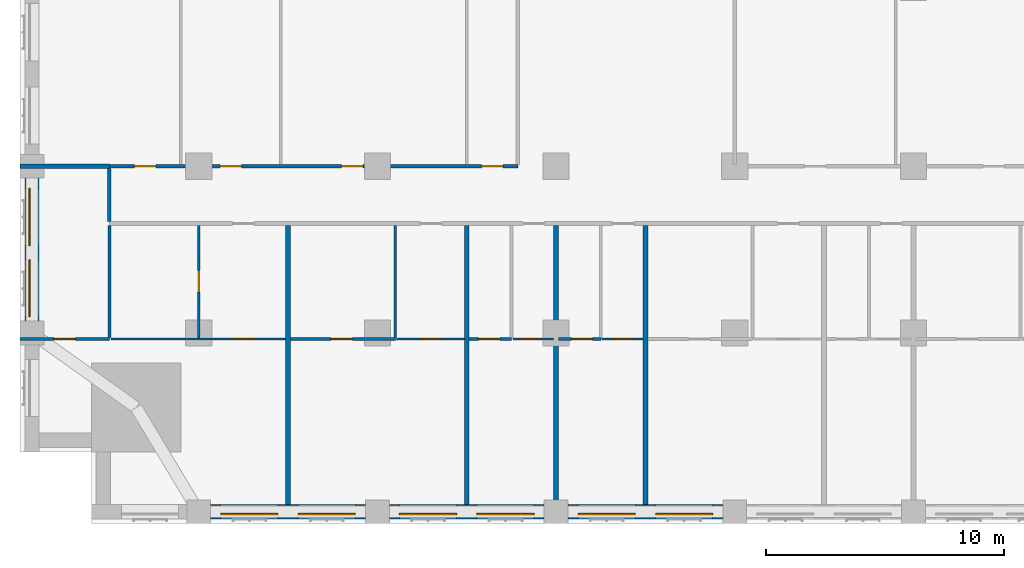
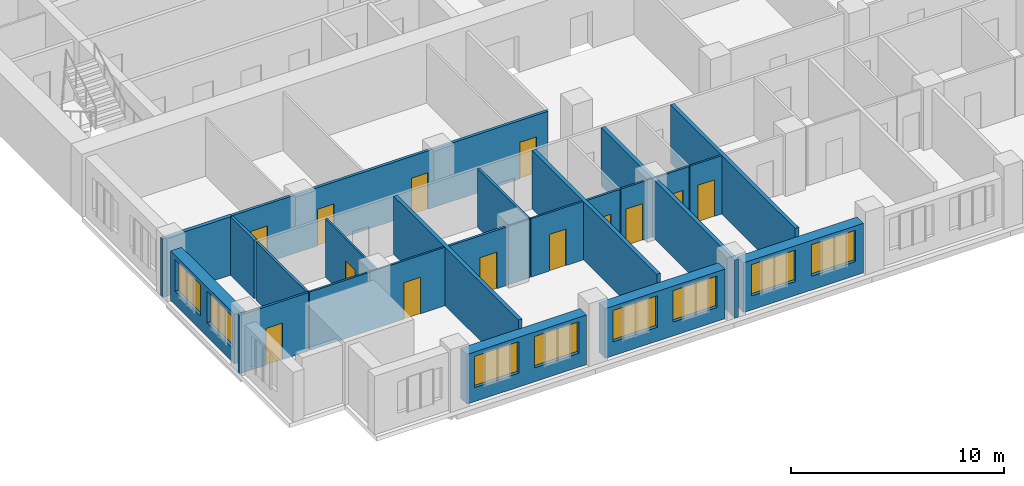
# One storey, part 4 of 14: 22 walls, 13 doors, 8 windows, 21 openings.
"""IFC4 building model written with IfcOpenShell, lengths in metres."""

from ifc_helpers import new_model, si_unit, direction, frame, frame_2d, origin, place, context, subcontext, project, spatial, rectangle, extrude, material, layer, layer_set, type_object, element, fill, save


model = new_model("IFC4")

# Units and contexts
model_context = context("Model", 3, precision=1e-05, world=origin(), true_north=direction((0.0, 1.0)))
body_context = subcontext(model_context, "Body", "Model", "MODEL_VIEW")
ifc_project = project(units=[si_unit("LENGTHUNIT", "METRE"), si_unit("AREAUNIT", "SQUARE_METRE"), si_unit("VOLUMEUNIT", "CUBIC_METRE"), si_unit("PLANEANGLEUNIT", "RADIAN"), si_unit("MASSUNIT", "GRAM", prefix="KILO")], contexts=[model_context])

# Site, building, storey
site_placement = place(None, origin())
site = spatial("IfcSite", under=ifc_project, at=site_placement, CompositionType="ELEMENT")
building_placement = place(site_placement, origin())
building = spatial("IfcBuilding", under=site, at=building_placement, Name="Tamorin Gate", CompositionType="ELEMENT")
storey_placement = place(building_placement, frame((0.0, 0.0, 89.89990234375)))
storey = spatial("IfcBuildingStorey", under=building, at=storey_placement, Name="L21", CompositionType="ELEMENT", Elevation=89.89990234375)

# Wall, openings, windows
ifc_material_1 = material(Name="Precast concrete C40/50", Category="concrete")
ifc_layer_1 = layer(ifc_material_1, 0.60009765625)
ifc_layer_set_1 = layer_set([ifc_layer_1], Name="Precast concrete C40/50")
wall_type_1 = type_object("IfcWallType", Name="Board-marked concrete facade panel 600", PredefinedType="SOLIDWALL", material=ifc_layer_set_1)
wall_1_placement = place(storey_placement, frame((38.0, 38.0, 0.0), z_axis=(0.0, 0.0, 1.0), x_axis=(1.0, 0.0, 0.0)))
wall_1 = element("IfcWall", 1, at=wall_1_placement, inside=storey, type_object=wall_type_1, Name="Facade panel", PredefinedType="SOLIDWALL", context=body_context, shape_type="SweptSolid", body=[
    extrude(rectangle(XDim=6.5, YDim=0.60009765625, at=frame_2d((3.25, 0.0))), origin(), (0.0, 0.0, 1.0), 2.85009765625),
])
opening_1_placement = place(wall_1_placement, frame((0.425048828125, 0.0, 0.800048828125)))
opening_1 = element("IfcOpeningElement", 2, at=opening_1_placement, cuts=wall_1, Name="Opening WN1", PredefinedType="OPENING", context=body_context, shape_type="SweptSolid", body=[
    extrude(rectangle(XDim=2.39990234375, YDim=1.800048828125, at=frame_2d((1.199951171875, 0.89990234375))), frame((0.0, 0.31005859375, 0.0), z_axis=(0.0, -1.0, 0.0), x_axis=(1.0, 0.0, 0.0)), (0.0, 0.0, 1.0), 0.6201171875),
])
opening_2_placement = place(wall_1_placement, frame((3.675048828125, 0.0, 0.800048828125)))
opening_2 = element("IfcOpeningElement", 3, at=opening_2_placement, cuts=wall_1, Name="Opening WN1", PredefinedType="OPENING", context=body_context, shape_type="SweptSolid", body=[
    extrude(rectangle(XDim=2.39990234375, YDim=1.800048828125, at=frame_2d((1.199951171875, 0.89990234375))), frame((0.0, 0.31005859375, 0.0), z_axis=(0.0, -1.0, 0.0), x_axis=(1.0, 0.0, 0.0)), (0.0, 0.0, 1.0), 0.6201171875),
])
ifc_material_2 = material(Name="Clear glass in aluminium frame", Category="aluminium")
window_type = type_object("IfcWindowType", Name="Deep-set window 2400x1800", PartitioningType="SINGLE_PANEL", PredefinedType="WINDOW", material=ifc_material_2)
window_1_placement = place(opening_1_placement, origin())
window_1 = element("IfcWindow", 4, at=window_1_placement, inside=storey, type_object=window_type, Name="Deep-set window", OverallHeight=1.800048828125, OverallWidth=2.39990234375, PartitioningType="SINGLE_PANEL", PredefinedType="WINDOW", context=body_context, shape_type="SweptSolid", body=[
    extrude(rectangle(XDim=2.39990234375, YDim=1.800048828125, at=frame_2d((1.199951171875, 0.89990234375))), frame((0.0, -0.070068359375, 0.0), z_axis=(0.0, -1.0, 0.0), x_axis=(1.0, 0.0, 0.0)), (0.0, 0.0, 1.0), 0.06005859375),
])
fill(opening_1, window_1)
window_2_placement = place(opening_2_placement, origin())
window_2 = element("IfcWindow", 5, at=window_2_placement, inside=storey, type_object=window_type, Name="Deep-set window", OverallHeight=1.800048828125, OverallWidth=2.39990234375, PartitioningType="SINGLE_PANEL", PredefinedType="WINDOW", context=body_context, shape_type="SweptSolid", body=[
    extrude(rectangle(XDim=2.39990234375, YDim=1.800048828125, at=frame_2d((1.199951171875, 0.89990234375))), frame((0.0, -0.070068359375, 0.0), z_axis=(0.0, -1.0, 0.0), x_axis=(1.0, 0.0, 0.0)), (0.0, 0.0, 1.0), 0.06005859375),
])
fill(opening_2, window_2)

wall_2_placement = place(storey_placement, frame((45.5, 38.0, 0.0), z_axis=(0.0, 0.0, 1.0), x_axis=(1.0, 0.0, 0.0)))
wall_2 = element("IfcWall", 6, at=wall_2_placement, inside=storey, type_object=wall_type_1, Name="Facade panel", PredefinedType="SOLIDWALL", context=body_context, shape_type="SweptSolid", body=[
    extrude(rectangle(XDim=6.5, YDim=0.60009765625, at=frame_2d((3.25, 0.0))), origin(), (0.0, 0.0, 1.0), 2.85009765625),
])
opening_3_placement = place(wall_2_placement, frame((0.425048828125, 0.0, 0.800048828125)))
opening_3 = element("IfcOpeningElement", 7, at=opening_3_placement, cuts=wall_2, Name="Opening WN1", PredefinedType="OPENING", context=body_context, shape_type="SweptSolid", body=[
    extrude(rectangle(XDim=2.39990234375, YDim=1.800048828125, at=frame_2d((1.199951171875, 0.89990234375))), frame((0.0, 0.31005859375, 0.0), z_axis=(0.0, -1.0, 0.0), x_axis=(1.0, 0.0, 0.0)), (0.0, 0.0, 1.0), 0.6201171875),
])
opening_4_placement = place(wall_2_placement, frame((3.675048828125, 0.0, 0.800048828125)))
opening_4 = element("IfcOpeningElement", 8, at=opening_4_placement, cuts=wall_2, Name="Opening WN1", PredefinedType="OPENING", context=body_context, shape_type="SweptSolid", body=[
    extrude(rectangle(XDim=2.39990234375, YDim=1.800048828125, at=frame_2d((1.199951171875, 0.89990234375))), frame((0.0, 0.31005859375, 0.0), z_axis=(0.0, -1.0, 0.0), x_axis=(1.0, 0.0, 0.0)), (0.0, 0.0, 1.0), 0.6201171875),
])
window_3_placement = place(opening_3_placement, origin())
window_3 = element("IfcWindow", 9, at=window_3_placement, inside=storey, type_object=window_type, Name="Deep-set window", OverallHeight=1.800048828125, OverallWidth=2.39990234375, PartitioningType="SINGLE_PANEL", PredefinedType="WINDOW", context=body_context, shape_type="SweptSolid", body=[
    extrude(rectangle(XDim=2.39990234375, YDim=1.800048828125, at=frame_2d((1.199951171875, 0.89990234375))), frame((0.0, -0.070068359375, 0.0), z_axis=(0.0, -1.0, 0.0), x_axis=(1.0, 0.0, 0.0)), (0.0, 0.0, 1.0), 0.06005859375),
])
fill(opening_3, window_3)
window_4_placement = place(opening_4_placement, origin())
window_4 = element("IfcWindow", 10, at=window_4_placement, inside=storey, type_object=window_type, Name="Deep-set window", OverallHeight=1.800048828125, OverallWidth=2.39990234375, PartitioningType="SINGLE_PANEL", PredefinedType="WINDOW", context=body_context, shape_type="SweptSolid", body=[
    extrude(rectangle(XDim=2.39990234375, YDim=1.800048828125, at=frame_2d((1.199951171875, 0.89990234375))), frame((0.0, -0.070068359375, 0.0), z_axis=(0.0, -1.0, 0.0), x_axis=(1.0, 0.0, 0.0)), (0.0, 0.0, 1.0), 0.06005859375),
])
fill(opening_4, window_4)

wall_3_placement = place(storey_placement, frame((53.0, 38.0, 0.0), z_axis=(0.0, 0.0, 1.0), x_axis=(1.0, 0.0, 0.0)))
wall_3 = element("IfcWall", 11, at=wall_3_placement, inside=storey, type_object=wall_type_1, Name="Facade panel", PredefinedType="SOLIDWALL", context=body_context, shape_type="SweptSolid", body=[
    extrude(rectangle(XDim=6.5, YDim=0.60009765625, at=frame_2d((3.25, 0.0))), origin(), (0.0, 0.0, 1.0), 2.85009765625),
])
opening_5_placement = place(wall_3_placement, frame((0.425048828125, 0.0, 0.800048828125)))
opening_5 = element("IfcOpeningElement", 12, at=opening_5_placement, cuts=wall_3, Name="Opening WN1", PredefinedType="OPENING", context=body_context, shape_type="SweptSolid", body=[
    extrude(rectangle(XDim=2.39990234375, YDim=1.800048828125, at=frame_2d((1.199951171875, 0.89990234375))), frame((0.0, 0.31005859375, 0.0), z_axis=(0.0, -1.0, 0.0), x_axis=(1.0, 0.0, 0.0)), (0.0, 0.0, 1.0), 0.6201171875),
])
opening_6_placement = place(wall_3_placement, frame((3.675048828125, 0.0, 0.800048828125)))
opening_6 = element("IfcOpeningElement", 13, at=opening_6_placement, cuts=wall_3, Name="Opening WN1", PredefinedType="OPENING", context=body_context, shape_type="SweptSolid", body=[
    extrude(rectangle(XDim=2.39990234375, YDim=1.800048828125, at=frame_2d((1.199951171875, 0.89990234375))), frame((0.0, 0.31005859375, 0.0), z_axis=(0.0, -1.0, 0.0), x_axis=(1.0, 0.0, 0.0)), (0.0, 0.0, 1.0), 0.6201171875),
])
window_5_placement = place(opening_5_placement, origin())
window_5 = element("IfcWindow", 14, at=window_5_placement, inside=storey, type_object=window_type, Name="Deep-set window", OverallHeight=1.800048828125, OverallWidth=2.39990234375, PartitioningType="SINGLE_PANEL", PredefinedType="WINDOW", context=body_context, shape_type="SweptSolid", body=[
    extrude(rectangle(XDim=2.39990234375, YDim=1.800048828125, at=frame_2d((1.199951171875, 0.89990234375))), frame((0.0, -0.070068359375, 0.0), z_axis=(0.0, -1.0, 0.0), x_axis=(1.0, 0.0, 0.0)), (0.0, 0.0, 1.0), 0.06005859375),
])
fill(opening_5, window_5)
window_6_placement = place(opening_6_placement, origin())
window_6 = element("IfcWindow", 15, at=window_6_placement, inside=storey, type_object=window_type, Name="Deep-set window", OverallHeight=1.800048828125, OverallWidth=2.39990234375, PartitioningType="SINGLE_PANEL", PredefinedType="WINDOW", context=body_context, shape_type="SweptSolid", body=[
    extrude(rectangle(XDim=2.39990234375, YDim=1.800048828125, at=frame_2d((1.199951171875, 0.89990234375))), frame((0.0, -0.070068359375, 0.0), z_axis=(0.0, -1.0, 0.0), x_axis=(1.0, 0.0, 0.0)), (0.0, 0.0, 1.0), 0.06005859375),
])
fill(opening_6, window_6)

wall_4_placement = place(storey_placement, frame((30.5, 52.0, 0.0), z_axis=(0.0, 0.0, 1.0), x_axis=(0.0, -1.0, 0.0)))
wall_4 = element("IfcWall", 16, at=wall_4_placement, inside=storey, type_object=wall_type_1, Name="Facade panel", PredefinedType="SOLIDWALL", context=body_context, shape_type="SweptSolid", body=[
    extrude(rectangle(XDim=6.0, YDim=0.60009765625, at=frame_2d((3.0, 0.0))), origin(), (0.0, 0.0, 1.0), 2.85009765625),
])
opening_7_placement = place(wall_4_placement, frame((3.425048828125, 0.0, 0.800048828125)))
opening_7 = element("IfcOpeningElement", 17, at=opening_7_placement, cuts=wall_4, Name="Opening WN1", PredefinedType="OPENING", context=body_context, shape_type="SweptSolid", body=[
    extrude(rectangle(XDim=2.39990234375, YDim=1.800048828125, at=frame_2d((1.199951171875, 0.89990234375))), frame((0.0, 0.31005859375, 0.0), z_axis=(0.0, -1.0, 0.0), x_axis=(1.0, 0.0, 0.0)), (0.0, 0.0, 1.0), 0.6201171875),
])
opening_8_placement = place(wall_4_placement, frame((0.425048828125, 0.0, 0.800048828125)))
opening_8 = element("IfcOpeningElement", 18, at=opening_8_placement, cuts=wall_4, Name="Opening WN1", PredefinedType="OPENING", context=body_context, shape_type="SweptSolid", body=[
    extrude(rectangle(XDim=2.39990234375, YDim=1.800048828125, at=frame_2d((1.199951171875, 0.89990234375))), frame((0.0, 0.31005859375, 0.0), z_axis=(0.0, -1.0, 0.0), x_axis=(1.0, 0.0, 0.0)), (0.0, 0.0, 1.0), 0.6201171875),
])
window_7_placement = place(opening_7_placement, origin())
window_7 = element("IfcWindow", 19, at=window_7_placement, inside=storey, type_object=window_type, Name="Deep-set window", OverallHeight=1.800048828125, OverallWidth=2.39990234375, PartitioningType="SINGLE_PANEL", PredefinedType="WINDOW", context=body_context, shape_type="SweptSolid", body=[
    extrude(rectangle(XDim=2.39990234375, YDim=1.800048828125, at=frame_2d((1.199951171875, 0.89990234375))), frame((0.0, -0.070068359375, 0.0), z_axis=(0.0, -1.0, 0.0), x_axis=(1.0, 0.0, 0.0)), (0.0, 0.0, 1.0), 0.06005859375),
])
fill(opening_7, window_7)
window_8_placement = place(opening_8_placement, origin())
window_8 = element("IfcWindow", 20, at=window_8_placement, inside=storey, type_object=window_type, Name="Deep-set window", OverallHeight=1.800048828125, OverallWidth=2.39990234375, PartitioningType="SINGLE_PANEL", PredefinedType="WINDOW", context=body_context, shape_type="SweptSolid", body=[
    extrude(rectangle(XDim=2.39990234375, YDim=1.800048828125, at=frame_2d((1.199951171875, 0.89990234375))), frame((0.0, -0.070068359375, 0.0), z_axis=(0.0, -1.0, 0.0), x_axis=(1.0, 0.0, 0.0)), (0.0, 0.0, 1.0), 0.06005859375),
])
fill(opening_8, window_8)

# Wall, openings, doors
ifc_material_3 = material(Name="Gypsum board partition")
ifc_layer_2 = layer(ifc_material_3, 0.14990234375)
ifc_layer_set_2 = layer_set([ifc_layer_2], Name="Corridor wall 150")
wall_type_2 = type_object("IfcWallType", Name="Corridor wall 150", PredefinedType="PARTITIONING", material=ifc_layer_set_2)
wall_5_placement = place(storey_placement, frame((33.75, 52.5, 0.0), z_axis=(0.0, 0.0, 1.0), x_axis=(1.0, 0.0, 0.0)))
wall_5 = element("IfcWall", 21, at=wall_5_placement, inside=storey, type_object=wall_type_2, Name="Corridor wall 150", PredefinedType="PARTITIONING", context=body_context, shape_type="SweptSolid", body=[
    extrude(rectangle(XDim=17.14990234375, YDim=0.14990234375, at=frame_2d((8.574951171875, 0.0))), origin(), (0.0, 0.0, 1.0), 3.35009765625),
])
opening_9_placement = place(wall_5_placement, frame((1.050048828125, 0.0, 0.0)))
opening_9 = element("IfcOpeningElement", 22, at=opening_9_placement, cuts=wall_5, Name="Opening DH8072", PredefinedType="OPENING", context=body_context, shape_type="SweptSolid", body=[
    extrude(rectangle(XDim=0.89990234375, YDim=2.10009765625, at=frame_2d((0.449951171875, 1.050048828125))), frame((0.0, 0.0849609375, 0.0), z_axis=(0.0, -1.0, 0.0), x_axis=(1.0, 0.0, 0.0)), (0.0, 0.0, 1.0), 0.169921875),
])
opening_10_placement = place(wall_5_placement, frame((4.64990234375, 0.0, 0.0)))
opening_10 = element("IfcOpeningElement", 23, at=opening_10_placement, cuts=wall_5, Name="Opening DH8073", PredefinedType="OPENING", context=body_context, shape_type="SweptSolid", body=[
    extrude(rectangle(XDim=0.89990234375, YDim=2.10009765625, at=frame_2d((0.449951171875, 1.050048828125))), frame((0.0, 0.0849609375, 0.0), z_axis=(0.0, -1.0, 0.0), x_axis=(1.0, 0.0, 0.0)), (0.0, 0.0, 1.0), 0.169921875),
])
opening_11_placement = place(wall_5_placement, frame((9.75, 0.0, 0.0)))
opening_11 = element("IfcOpeningElement", 24, at=opening_11_placement, cuts=wall_5, Name="Opening DH8074", PredefinedType="OPENING", context=body_context, shape_type="SweptSolid", body=[
    extrude(rectangle(XDim=0.89990234375, YDim=2.10009765625, at=frame_2d((0.449951171875, 1.050048828125))), frame((0.0, 0.0849609375, 0.0), z_axis=(0.0, -1.0, 0.0), x_axis=(1.0, 0.0, 0.0)), (0.0, 0.0, 1.0), 0.169921875),
])
opening_12_placement = place(wall_5_placement, frame((15.625, 0.0, 0.0)))
opening_12 = element("IfcOpeningElement", 25, at=opening_12_placement, cuts=wall_5, Name="Opening DH8075", PredefinedType="OPENING", context=body_context, shape_type="SweptSolid", body=[
    extrude(rectangle(XDim=0.89990234375, YDim=2.10009765625, at=frame_2d((0.449951171875, 1.050048828125))), frame((0.0, 0.0849609375, 0.0), z_axis=(0.0, -1.0, 0.0), x_axis=(1.0, 0.0, 0.0)), (0.0, 0.0, 1.0), 0.169921875),
])
ifc_material_4 = material(Name="Timber door leaf", Category="wood")
door_type_1 = type_object("IfcDoorType", Name="Door 900 x 2100 FD30S", OperationType="NOTDEFINED", PredefinedType="DOOR", material=ifc_material_4)
door_1_placement = place(opening_9_placement, origin())
door_1 = element("IfcDoor", 26, at=door_1_placement, inside=storey, type_object=door_type_1, Name="Door DH8072", OperationType="SINGLE_SWING_LEFT", OverallHeight=2.10009765625, OverallWidth=0.89990234375, PredefinedType="DOOR", context=body_context, shape_type="SweptSolid", body=[
    extrude(rectangle(XDim=0.89990234375, YDim=2.10009765625, at=frame_2d((0.449951171875, 1.050048828125))), frame((0.0, 0.02490234375, 0.0), z_axis=(0.0, -1.0, 0.0), x_axis=(1.0, 0.0, 0.0)), (0.0, 0.0, 1.0), 0.050048828125),
])
fill(opening_9, door_1)
door_2_placement = place(opening_10_placement, origin())
door_2 = element("IfcDoor", 27, at=door_2_placement, inside=storey, type_object=door_type_1, Name="Door DH8073", OperationType="SINGLE_SWING_LEFT", OverallHeight=2.10009765625, OverallWidth=0.89990234375, PredefinedType="DOOR", context=body_context, shape_type="SweptSolid", body=[
    extrude(rectangle(XDim=0.89990234375, YDim=2.10009765625, at=frame_2d((0.449951171875, 1.050048828125))), frame((0.0, 0.02490234375, 0.0), z_axis=(0.0, -1.0, 0.0), x_axis=(1.0, 0.0, 0.0)), (0.0, 0.0, 1.0), 0.050048828125),
])
fill(opening_10, door_2)
door_3_placement = place(opening_11_placement, origin())
door_3 = element("IfcDoor", 28, at=door_3_placement, inside=storey, type_object=door_type_1, Name="Door DH8074", OperationType="SINGLE_SWING_LEFT", OverallHeight=2.10009765625, OverallWidth=0.89990234375, PredefinedType="DOOR", context=body_context, shape_type="SweptSolid", body=[
    extrude(rectangle(XDim=0.89990234375, YDim=2.10009765625, at=frame_2d((0.449951171875, 1.050048828125))), frame((0.0, 0.02490234375, 0.0), z_axis=(0.0, -1.0, 0.0), x_axis=(1.0, 0.0, 0.0)), (0.0, 0.0, 1.0), 0.050048828125),
])
fill(opening_11, door_3)
door_4_placement = place(opening_12_placement, origin())
door_4 = element("IfcDoor", 29, at=door_4_placement, inside=storey, type_object=door_type_1, Name="Door DH8075", OperationType="SINGLE_SWING_LEFT", OverallHeight=2.10009765625, OverallWidth=0.89990234375, PredefinedType="DOOR", context=body_context, shape_type="SweptSolid", body=[
    extrude(rectangle(XDim=0.89990234375, YDim=2.10009765625, at=frame_2d((0.449951171875, 1.050048828125))), frame((0.0, 0.02490234375, 0.0), z_axis=(0.0, -1.0, 0.0), x_axis=(1.0, 0.0, 0.0)), (0.0, 0.0, 1.0), 0.050048828125),
])
fill(opening_12, door_4)

# Walls
wall_6_placement = place(storey_placement, frame((33.75, 50.175048828125, 0.0), z_axis=(0.0, 0.0, 1.0), x_axis=(0.0, 1.0, 0.0)))
element("IfcWall", 30, at=wall_6_placement, inside=storey, type_object=wall_type_2, Name="Corridor wall 150", PredefinedType="PARTITIONING", context=body_context, shape_type="SweptSolid", body=[
    extrude(rectangle(XDim=2.224853515625, YDim=0.14990234375, at=frame_2d((1.1123046875, 0.0))), origin(), (0.0, 0.0, 1.0), 3.35009765625),
])
ifc_layer_3 = layer(ifc_material_3, 0.199951171875)
ifc_layer_set_3 = layer_set([ifc_layer_3], Name="Demising wall 200")
wall_type_3 = type_object("IfcWallType", Name="Demising wall 200", PredefinedType="PARTITIONING", material=ifc_layer_set_3)
wall_7_placement = place(storey_placement, frame((30.0, 52.5, 0.0), z_axis=(0.0, 0.0, 1.0), x_axis=(1.0, 0.0, 0.0)))
element("IfcWall", 31, at=wall_7_placement, inside=storey, type_object=wall_type_3, Name="Demising wall 200", PredefinedType="PARTITIONING", context=body_context, shape_type="SweptSolid", body=[
    extrude(rectangle(XDim=3.75, YDim=0.199951171875, at=frame_2d((1.875, 0.0))), origin(), (0.0, 0.0, 1.0), 3.35009765625),
])
for number, where, z_axis, x_axis, name in (
    (32, (41.25, 38.31005859375, 0.0), (0.0, 0.0, 1.0), (0.0, 1.0, 0.0), "Demising wall 200"),
    (33, (48.75, 38.31005859375, 0.0), (0.0, 0.0, 1.0), (0.0, 1.0, 0.0), "Demising wall 200"),
):
    element("IfcWall", number, at=place(storey_placement, frame(where, z_axis=z_axis, x_axis=x_axis)), inside=storey, type_object=wall_type_3, Name=name, PredefinedType="PARTITIONING", context=body_context, shape_type="SweptSolid", body=[
        extrude(rectangle(XDim=11.71484375, YDim=0.199951171875, at=frame_2d((5.857421875, 0.0))), origin(), (0.0, 0.0, 1.0), 3.35009765625),
    ])
wall_8_placement = place(storey_placement, frame((52.5, 37.5, 0.0), z_axis=(0.0, 0.0, 1.0), x_axis=(0.0, 1.0, 0.0)))
element("IfcWall", 34, at=wall_8_placement, inside=storey, type_object=wall_type_3, Name="Demising wall 200", PredefinedType="PARTITIONING", context=body_context, shape_type="SweptSolid", body=[
    extrude(rectangle(XDim=12.52490234375, YDim=0.199951171875, at=frame_2d((6.262451171875, 0.0))), origin(), (0.0, 0.0, 1.0), 3.35009765625),
])
wall_9_placement = place(storey_placement, frame((56.25, 38.31005859375, 0.0), z_axis=(0.0, 0.0, 1.0), x_axis=(0.0, 1.0, 0.0)))
element("IfcWall", 35, at=wall_9_placement, inside=storey, type_object=wall_type_3, Name="Demising wall 200", PredefinedType="PARTITIONING", context=body_context, shape_type="SweptSolid", body=[
    extrude(rectangle(XDim=11.71484375, YDim=0.199951171875, at=frame_2d((5.857421875, 0.0))), origin(), (0.0, 0.0, 1.0), 3.35009765625),
])

# Wall, opening, door
ifc_layer_4 = layer(ifc_material_3, 0.10009765625)
ifc_layer_set_4 = layer_set([ifc_layer_4], Name="Room partition 100")
wall_type_4 = type_object("IfcWallType", Name="Room partition 100", PredefinedType="PARTITIONING", material=ifc_layer_set_4)
wall_10_placement = place(storey_placement, frame((33.8125, 45.25, 0.0), z_axis=(0.0, 0.0, 1.0), x_axis=(1.0, 0.0, 0.0)))
wall_10 = element("IfcWall", 36, at=wall_10_placement, inside=storey, type_object=wall_type_4, Name="Room partition 100", PredefinedType="PARTITIONING", context=body_context, shape_type="SweptSolid", body=[
    extrude(rectangle(XDim=7.33740234375, YDim=0.10009765625, at=frame_2d((3.668701171875, 0.0))), origin(), (0.0, 0.0, 1.0), 3.35009765625),
])
opening_13_placement = place(wall_10_placement, frame((5.112548828125, 0.0, 0.0)))
opening_13 = element("IfcOpeningElement", 37, at=opening_13_placement, cuts=wall_10, Name="Opening DH8004", PredefinedType="OPENING", context=body_context, shape_type="SweptSolid", body=[
    extrude(rectangle(XDim=0.89990234375, YDim=2.10009765625, at=frame_2d((0.449951171875, 1.050048828125))), frame((0.0, 0.06005859375, 0.0), z_axis=(0.0, -1.0, 0.0), x_axis=(1.0, 0.0, 0.0)), (0.0, 0.0, 1.0), 0.1201171875),
])
door_type_2 = type_object("IfcDoorType", Name="Door 900 x 2100", OperationType="NOTDEFINED", PredefinedType="DOOR", material=ifc_material_4)
door_5_placement = place(opening_13_placement, origin())
door_5 = element("IfcDoor", 38, at=door_5_placement, inside=storey, type_object=door_type_2, Name="Door DH8004", OperationType="SINGLE_SWING_LEFT", OverallHeight=2.10009765625, OverallWidth=0.89990234375, PredefinedType="DOOR", context=body_context, shape_type="SweptSolid", body=[
    extrude(rectangle(XDim=0.89990234375, YDim=2.10009765625, at=frame_2d((0.449951171875, 1.050048828125))), frame((0.0, 0.02490234375, 0.0), z_axis=(0.0, -1.0, 0.0), x_axis=(1.0, 0.0, 0.0)), (0.0, 0.0, 1.0), 0.050048828125),
])
fill(opening_13, door_5)

wall_11_placement = place(storey_placement, frame((45.8125, 45.25, 0.0), z_axis=(0.0, 0.0, 1.0), x_axis=(1.0, 0.0, 0.0)))
wall_11 = element("IfcWall", 39, at=wall_11_placement, inside=storey, type_object=wall_type_4, Name="Room partition 100", PredefinedType="PARTITIONING", context=body_context, shape_type="SweptSolid", body=[
    extrude(rectangle(XDim=2.83740234375, YDim=0.10009765625, at=frame_2d((1.418701171875, 0.0))), origin(), (0.0, 0.0, 1.0), 3.35009765625),
])
opening_14_placement = place(wall_11_placement, frame((0.987548828125, 0.0, 0.0)))
opening_14 = element("IfcOpeningElement", 40, at=opening_14_placement, cuts=wall_11, Name="Opening DH8007", PredefinedType="OPENING", context=body_context, shape_type="SweptSolid", body=[
    extrude(rectangle(XDim=0.89990234375, YDim=2.10009765625, at=frame_2d((0.449951171875, 1.050048828125))), frame((0.0, 0.06005859375, 0.0), z_axis=(0.0, -1.0, 0.0), x_axis=(1.0, 0.0, 0.0)), (0.0, 0.0, 1.0), 0.1201171875),
])
door_6_placement = place(opening_14_placement, origin())
door_6 = element("IfcDoor", 41, at=door_6_placement, inside=storey, type_object=door_type_2, Name="Door DH8007", OperationType="SINGLE_SWING_LEFT", OverallHeight=2.10009765625, OverallWidth=0.89990234375, PredefinedType="DOOR", context=body_context, shape_type="SweptSolid", body=[
    extrude(rectangle(XDim=0.89990234375, YDim=2.10009765625, at=frame_2d((0.449951171875, 1.050048828125))), frame((0.0, 0.02490234375, 0.0), z_axis=(0.0, -1.0, 0.0), x_axis=(1.0, 0.0, 0.0)), (0.0, 0.0, 1.0), 0.050048828125),
])
fill(opening_14, door_6)

wall_12_placement = place(storey_placement, frame((50.6875, 45.25, 0.0), z_axis=(0.0, 0.0, 1.0), x_axis=(1.0, 0.0, 0.0)))
wall_12 = element("IfcWall", 42, at=wall_12_placement, inside=storey, type_object=wall_type_4, Name="Room partition 100", PredefinedType="PARTITIONING", context=body_context, shape_type="SweptSolid", body=[
    extrude(rectangle(XDim=1.71240234375, YDim=0.10009765625, at=frame_2d((0.856201171875, 0.0))), origin(), (0.0, 0.0, 1.0), 3.35009765625),
])
opening_15_placement = place(wall_12_placement, frame((0.27490234375, 0.0, 0.0)))
opening_15 = element("IfcOpeningElement", 43, at=opening_15_placement, cuts=wall_12, Name="Opening DH8010", PredefinedType="OPENING", context=body_context, shape_type="SweptSolid", body=[
    extrude(rectangle(XDim=0.89990234375, YDim=2.10009765625, at=frame_2d((0.449951171875, 1.050048828125))), frame((0.0, 0.06005859375, 0.0), z_axis=(0.0, -1.0, 0.0), x_axis=(1.0, 0.0, 0.0)), (0.0, 0.0, 1.0), 0.1201171875),
])
door_7_placement = place(opening_15_placement, origin())
door_7 = element("IfcDoor", 44, at=door_7_placement, inside=storey, type_object=door_type_2, Name="Door DH8010", OperationType="SINGLE_SWING_LEFT", OverallHeight=2.10009765625, OverallWidth=0.89990234375, PredefinedType="DOOR", context=body_context, shape_type="SweptSolid", body=[
    extrude(rectangle(XDim=0.89990234375, YDim=2.10009765625, at=frame_2d((0.449951171875, 1.050048828125))), frame((0.0, 0.02490234375, 0.0), z_axis=(0.0, -1.0, 0.0), x_axis=(1.0, 0.0, 0.0)), (0.0, 0.0, 1.0), 0.050048828125),
])
fill(opening_15, door_7)

wall_13_placement = place(storey_placement, frame((54.4375, 45.25, 0.0), z_axis=(0.0, 0.0, 1.0), x_axis=(1.0, 0.0, 0.0)))
wall_13 = element("IfcWall", 45, at=wall_13_placement, inside=storey, type_object=wall_type_4, Name="Room partition 100", PredefinedType="PARTITIONING", context=body_context, shape_type="SweptSolid", body=[
    extrude(rectangle(XDim=1.71240234375, YDim=0.10009765625, at=frame_2d((0.856201171875, 0.0))), origin(), (0.0, 0.0, 1.0), 3.35009765625),
])
opening_16_placement = place(wall_13_placement, frame((0.425048828125, 0.0, 0.0)))
opening_16 = element("IfcOpeningElement", 46, at=opening_16_placement, cuts=wall_13, Name="Opening DH8013", PredefinedType="OPENING", context=body_context, shape_type="SweptSolid", body=[
    extrude(rectangle(XDim=0.89990234375, YDim=2.10009765625, at=frame_2d((0.449951171875, 1.050048828125))), frame((0.0, 0.06005859375, 0.0), z_axis=(0.0, -1.0, 0.0), x_axis=(1.0, 0.0, 0.0)), (0.0, 0.0, 1.0), 0.1201171875),
])
door_8_placement = place(opening_16_placement, origin())
door_8 = element("IfcDoor", 47, at=door_8_placement, inside=storey, type_object=door_type_2, Name="Door DH8013", OperationType="SINGLE_SWING_LEFT", OverallHeight=2.10009765625, OverallWidth=0.89990234375, PredefinedType="DOOR", context=body_context, shape_type="SweptSolid", body=[
    extrude(rectangle(XDim=0.89990234375, YDim=2.10009765625, at=frame_2d((0.449951171875, 1.050048828125))), frame((0.0, 0.02490234375, 0.0), z_axis=(0.0, -1.0, 0.0), x_axis=(1.0, 0.0, 0.0)), (0.0, 0.0, 1.0), 0.050048828125),
])
fill(opening_16, door_8)

wall_14_placement = place(storey_placement, frame((37.5, 45.300048828125, 0.0), z_axis=(0.0, 0.0, 1.0), x_axis=(0.0, 1.0, 0.0)))
wall_14 = element("IfcWall", 48, at=wall_14_placement, inside=storey, type_object=wall_type_4, Name="Room partition 100", PredefinedType="PARTITIONING", context=body_context, shape_type="SweptSolid", body=[
    extrude(rectangle(XDim=4.724853515625, YDim=0.10009765625, at=frame_2d((2.3623046875, 0.0))), origin(), (0.0, 0.0, 1.0), 3.35009765625),
])
opening_17_placement = place(wall_14_placement, frame((1.925048828125, 0.0, 0.0)))
opening_17 = element("IfcOpeningElement", 49, at=opening_17_placement, cuts=wall_14, Name="Opening DH8002", PredefinedType="OPENING", context=body_context, shape_type="SweptSolid", body=[
    extrude(rectangle(XDim=0.89990234375, YDim=2.10009765625, at=frame_2d((0.449951171875, 1.050048828125))), frame((0.0, 0.06005859375, 0.0), z_axis=(0.0, -1.0, 0.0), x_axis=(1.0, 0.0, 0.0)), (0.0, 0.0, 1.0), 0.1201171875),
])
door_9_placement = place(opening_17_placement, origin())
door_9 = element("IfcDoor", 50, at=door_9_placement, inside=storey, type_object=door_type_2, Name="Door DH8002", OperationType="SINGLE_SWING_RIGHT", OverallHeight=2.10009765625, OverallWidth=0.89990234375, PredefinedType="DOOR", context=body_context, shape_type="SweptSolid", body=[
    extrude(rectangle(XDim=0.89990234375, YDim=2.10009765625, at=frame_2d((0.449951171875, 1.050048828125))), frame((0.0, 0.02490234375, 0.0), z_axis=(0.0, -1.0, 0.0), x_axis=(1.0, 0.0, 0.0)), (0.0, 0.0, 1.0), 0.050048828125),
])
fill(opening_17, door_9)

ifc_layer_5 = layer(ifc_material_3, 0.125)
ifc_layer_set_5 = layer_set([ifc_layer_5], Name="Wet wall 125")
wall_type_5 = type_object("IfcWallType", Name="Wet wall 125", PredefinedType="PARTITIONING", material=ifc_layer_set_5)
wall_15_placement = place(storey_placement, frame((30.0, 45.25, 0.0), z_axis=(0.0, 0.0, 1.0), x_axis=(1.0, 0.0, 0.0)))
wall_15 = element("IfcWall", 51, at=wall_15_placement, inside=storey, type_object=wall_type_5, Name="Wet wall 125", PredefinedType="PARTITIONING", context=body_context, shape_type="SweptSolid", body=[
    extrude(rectangle(XDim=3.75, YDim=0.125, at=frame_2d((1.875, 0.0))), origin(), (0.0, 0.0, 1.0), 3.35009765625),
])
opening_18_placement = place(wall_15_placement, frame((1.425048828125, 0.0, 0.0)))
opening_18 = element("IfcOpeningElement", 52, at=opening_18_placement, cuts=wall_15, Name="Opening DH8001", PredefinedType="OPENING", context=body_context, shape_type="SweptSolid", body=[
    extrude(rectangle(XDim=0.89990234375, YDim=2.10009765625, at=frame_2d((0.449951171875, 1.050048828125))), frame((0.0, 0.072509765625, 0.0), z_axis=(0.0, -1.0, 0.0), x_axis=(1.0, 0.0, 0.0)), (0.0, 0.0, 1.0), 0.14501953125),
])
door_10_placement = place(opening_18_placement, origin())
door_10 = element("IfcDoor", 53, at=door_10_placement, inside=storey, type_object=door_type_2, Name="Door DH8001", OperationType="SINGLE_SWING_LEFT", OverallHeight=2.10009765625, OverallWidth=0.89990234375, PredefinedType="DOOR", context=body_context, shape_type="SweptSolid", body=[
    extrude(rectangle(XDim=0.89990234375, YDim=2.10009765625, at=frame_2d((0.449951171875, 1.050048828125))), frame((0.0, 0.02490234375, 0.0), z_axis=(0.0, -1.0, 0.0), x_axis=(1.0, 0.0, 0.0)), (0.0, 0.0, 1.0), 0.050048828125),
])
fill(opening_18, door_10)

wall_16_placement = place(storey_placement, frame((41.35009765625, 45.25, 0.0), z_axis=(0.0, 0.0, 1.0), x_axis=(1.0, 0.0, 0.0)))
wall_16 = element("IfcWall", 54, at=wall_16_placement, inside=storey, type_object=wall_type_5, Name="Wet wall 125", PredefinedType="PARTITIONING", context=body_context, shape_type="SweptSolid", body=[
    extrude(rectangle(XDim=4.39990234375, YDim=0.125, at=frame_2d((2.199951171875, 0.0))), origin(), (0.0, 0.0, 1.0), 3.35009765625),
])
opening_19_placement = place(wall_16_placement, frame((1.699951171875, 0.0, 0.0)))
opening_19 = element("IfcOpeningElement", 55, at=opening_19_placement, cuts=wall_16, Name="Opening DH8005", PredefinedType="OPENING", context=body_context, shape_type="SweptSolid", body=[
    extrude(rectangle(XDim=0.89990234375, YDim=2.10009765625, at=frame_2d((0.449951171875, 1.050048828125))), frame((0.0, 0.072509765625, 0.0), z_axis=(0.0, -1.0, 0.0), x_axis=(1.0, 0.0, 0.0)), (0.0, 0.0, 1.0), 0.14501953125),
])
door_11_placement = place(opening_19_placement, origin())
door_11 = element("IfcDoor", 56, at=door_11_placement, inside=storey, type_object=door_type_2, Name="Door DH8005", OperationType="SINGLE_SWING_LEFT", OverallHeight=2.10009765625, OverallWidth=0.89990234375, PredefinedType="DOOR", context=body_context, shape_type="SweptSolid", body=[
    extrude(rectangle(XDim=0.89990234375, YDim=2.10009765625, at=frame_2d((0.449951171875, 1.050048828125))), frame((0.0, 0.02490234375, 0.0), z_axis=(0.0, -1.0, 0.0), x_axis=(1.0, 0.0, 0.0)), (0.0, 0.0, 1.0), 0.050048828125),
])
fill(opening_19, door_11)

wall_17_placement = place(storey_placement, frame((48.85009765625, 45.25, 0.0), z_axis=(0.0, 0.0, 1.0), x_axis=(1.0, 0.0, 0.0)))
wall_17 = element("IfcWall", 57, at=wall_17_placement, inside=storey, type_object=wall_type_5, Name="Wet wall 125", PredefinedType="PARTITIONING", context=body_context, shape_type="SweptSolid", body=[
    extrude(rectangle(XDim=1.77490234375, YDim=0.125, at=frame_2d((0.887451171875, 0.0))), origin(), (0.0, 0.0, 1.0), 3.35009765625),
])
opening_20_placement = place(wall_17_placement, frame((0.387451171875, 0.0, 0.0)))
opening_20 = element("IfcOpeningElement", 58, at=opening_20_placement, cuts=wall_17, Name="Opening DH8008", PredefinedType="OPENING", context=body_context, shape_type="SweptSolid", body=[
    extrude(rectangle(XDim=0.89990234375, YDim=2.10009765625, at=frame_2d((0.449951171875, 1.050048828125))), frame((0.0, 0.072509765625, 0.0), z_axis=(0.0, -1.0, 0.0), x_axis=(1.0, 0.0, 0.0)), (0.0, 0.0, 1.0), 0.14501953125),
])
door_12_placement = place(opening_20_placement, origin())
door_12 = element("IfcDoor", 59, at=door_12_placement, inside=storey, type_object=door_type_2, Name="Door DH8008", OperationType="SINGLE_SWING_LEFT", OverallHeight=2.10009765625, OverallWidth=0.89990234375, PredefinedType="DOOR", context=body_context, shape_type="SweptSolid", body=[
    extrude(rectangle(XDim=0.89990234375, YDim=2.10009765625, at=frame_2d((0.449951171875, 1.050048828125))), frame((0.0, 0.02490234375, 0.0), z_axis=(0.0, -1.0, 0.0), x_axis=(1.0, 0.0, 0.0)), (0.0, 0.0, 1.0), 0.050048828125),
])
fill(opening_20, door_12)

wall_18_placement = place(storey_placement, frame((52.60009765625, 45.25, 0.0), z_axis=(0.0, 0.0, 1.0), x_axis=(1.0, 0.0, 0.0)))
wall_18 = element("IfcWall", 60, at=wall_18_placement, inside=storey, type_object=wall_type_5, Name="Wet wall 125", PredefinedType="PARTITIONING", context=body_context, shape_type="SweptSolid", body=[
    extrude(rectangle(XDim=1.77490234375, YDim=0.125, at=frame_2d((0.887451171875, 0.0))), origin(), (0.0, 0.0, 1.0), 3.35009765625),
])
opening_21_placement = place(wall_18_placement, frame((0.53759765625, 0.0, 0.0)))
opening_21 = element("IfcOpeningElement", 61, at=opening_21_placement, cuts=wall_18, Name="Opening DH8011", PredefinedType="OPENING", context=body_context, shape_type="SweptSolid", body=[
    extrude(rectangle(XDim=0.89990234375, YDim=2.10009765625, at=frame_2d((0.449951171875, 1.050048828125))), frame((0.0, 0.072509765625, 0.0), z_axis=(0.0, -1.0, 0.0), x_axis=(1.0, 0.0, 0.0)), (0.0, 0.0, 1.0), 0.14501953125),
])
door_13_placement = place(opening_21_placement, origin())
door_13 = element("IfcDoor", 62, at=door_13_placement, inside=storey, type_object=door_type_2, Name="Door DH8011", OperationType="SINGLE_SWING_RIGHT", OverallHeight=2.10009765625, OverallWidth=0.89990234375, PredefinedType="DOOR", context=body_context, shape_type="SweptSolid", body=[
    extrude(rectangle(XDim=0.89990234375, YDim=2.10009765625, at=frame_2d((0.449951171875, 1.050048828125))), frame((0.0, 0.02490234375, 0.0), z_axis=(0.0, -1.0, 0.0), x_axis=(1.0, 0.0, 0.0)), (0.0, 0.0, 1.0), 0.050048828125),
])
fill(opening_21, door_13)

# Walls
for number, where, z_axis, x_axis, name in (
    (63, (33.75, 45.3125, 0.0), (0.0, 0.0, 1.0), (0.0, 1.0, 0.0), "Wet wall 125"),
    (64, (45.75, 45.3125, 0.0), (0.0, 0.0, 1.0), (0.0, 1.0, 0.0), "Wet wall 125"),
):
    element("IfcWall", number, at=place(storey_placement, frame(where, z_axis=z_axis, x_axis=x_axis)), inside=storey, type_object=wall_type_5, Name=name, PredefinedType="PARTITIONING", context=body_context, shape_type="SweptSolid", body=[
        extrude(rectangle(XDim=4.71240234375, YDim=0.125, at=frame_2d((2.356201171875, 0.0))), origin(), (0.0, 0.0, 1.0), 3.35009765625),
    ])

save(model, "model.ifc")
